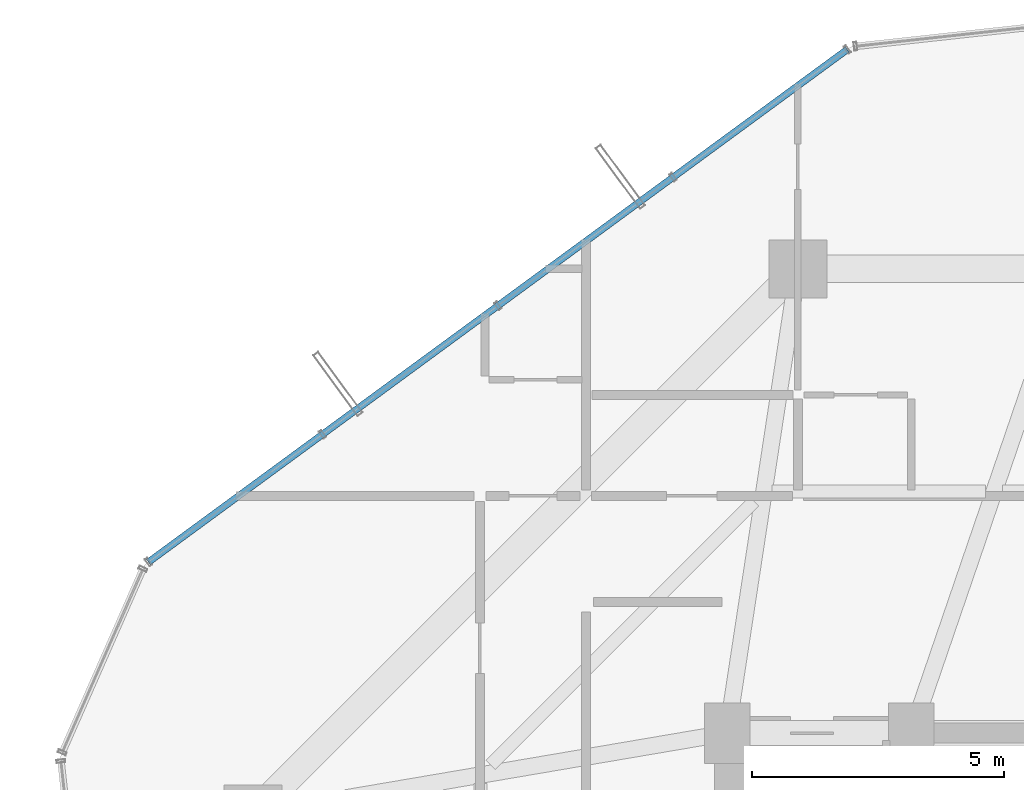
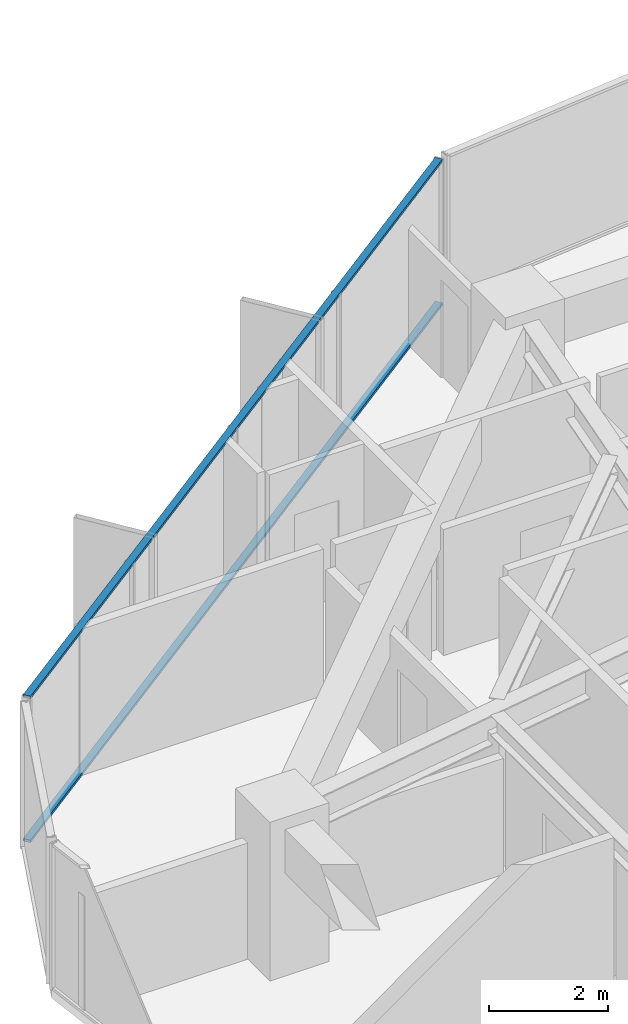
# One storey, part 20 of 34: 2 members, 1 element without a shape of its own.
"""IFC4 building model written with IfcOpenShell, lengths in metres."""

from ifc_helpers import new_model, si_unit, direction, frame, origin, origin_2d, place, context, subcontext, project, spatial, hollow_rectangle, extrude, source, transform, mapped, material, layer, layer_set, material_profile, profile_set, type_object, element, aggregate, save


model = new_model("IFC4")

# Units and contexts
model_context = context("Model", 3, precision=1e-05, world=origin(), true_north=direction((0.0, 1.0)))
body_context = subcontext(model_context, "Body", "Model", "MODEL_VIEW")
ifc_project = project(units=[si_unit("LENGTHUNIT", "METRE"), si_unit("AREAUNIT", "SQUARE_METRE"), si_unit("VOLUMEUNIT", "CUBIC_METRE"), si_unit("PLANEANGLEUNIT", "RADIAN"), si_unit("MASSUNIT", "GRAM", prefix="KILO")], contexts=[model_context])

# Site, building, storey
site_placement = place(None, origin())
site = spatial("IfcSite", under=ifc_project, at=site_placement, CompositionType="ELEMENT")
building_placement = place(site_placement, origin())
building = spatial("IfcBuilding", under=site, at=building_placement, Name="Veraguas Prism Commons", CompositionType="ELEMENT")
storey_placement = place(building_placement, frame((0.0, 0.0, 149.0)))
storey = spatial("IfcBuildingStorey", under=building, at=storey_placement, Name="L42", CompositionType="ELEMENT", Elevation=149.0)

# Curtain wall, members
ifc_material = material(Name="Anodised aluminium EN AW-6063 T6", Category="aluminium")
ifc_layer = layer(ifc_material, 0.169921875, Name="Unitised Flush Curtain Wall Zone 2", Category="aluminium")
ifc_layer_set = layer_set([ifc_layer], Name="Anodised aluminium EN AW-6063 T6")
curtain_wall_type = type_object("IfcCurtainWallType", Name="Unitised Flush Curtain Wall Zone 2", PredefinedType="NOTDEFINED", material=ifc_layer_set)
curtain_wall_placement = place(storey_placement, origin())
curtain_wall = element("IfcCurtainWall", 1, at=curtain_wall_placement, inside=storey, type_object=curtain_wall_type, Name="Tower Facade Curtain Wall L42-F2", PredefinedType="NOTDEFINED")
ifc_material_profile = material_profile(ifc_material, hollow_rectangle(XDim=0.054931640625, YDim=0.135009765625, WallThickness=0.0029296875, at=origin_2d()), Name="AL55X135X3")
ifc_profile_set = profile_set([ifc_material_profile], Name="Anodised aluminium EN AW-6063 T6")
member_type = type_object("IfcMemberType", Name="Curtain Wall Transom Standard AL 55x135x3", PredefinedType="USERDEFINED", material=ifc_profile_set)
shared_shape = source(origin(), body_context, "Body", "SweptSolid", [
    extrude(hollow_rectangle(XDim=0.054931640625, YDim=0.135009765625, WallThickness=0.0029296875, at=origin_2d()), origin(), (0.0, 0.0, 1.0), 17.17431640625),
])
member_1_placement = place(storey_placement, frame((19.57861328125, 44.54638671875, 0.027587890625), z_axis=(-0.806343076158, -0.59144809031, 0.0), x_axis=(0.0, 0.0, 1.0)))
member_1 = element("IfcMember", 2, at=member_1_placement, type_object=member_type, Name="CW-Z2 Transom 1", ObjectType="TRANSOM", PredefinedType="USERDEFINED", context=body_context, shape_type="MappedRepresentation", body=[
    mapped(shared_shape, transform((0.0, 0.0, 0.0), scale=1.0)),
])
member_2_placement = place(storey_placement, frame((19.57861328125, 44.54638671875, 2.972412109375), z_axis=(-0.806343076158, -0.59144809031, 0.0), x_axis=(0.0, 0.0, 1.0)))
member_2 = element("IfcMember", 3, at=member_2_placement, type_object=member_type, Name="CW-Z2 Transom 2", ObjectType="TRANSOM", PredefinedType="USERDEFINED", context=body_context, shape_type="MappedRepresentation", body=[
    mapped(shared_shape, transform((0.0, 0.0, 0.0), scale=1.0)),
])
aggregate(curtain_wall, [member_1, member_2])

save(model, "model.ifc")
